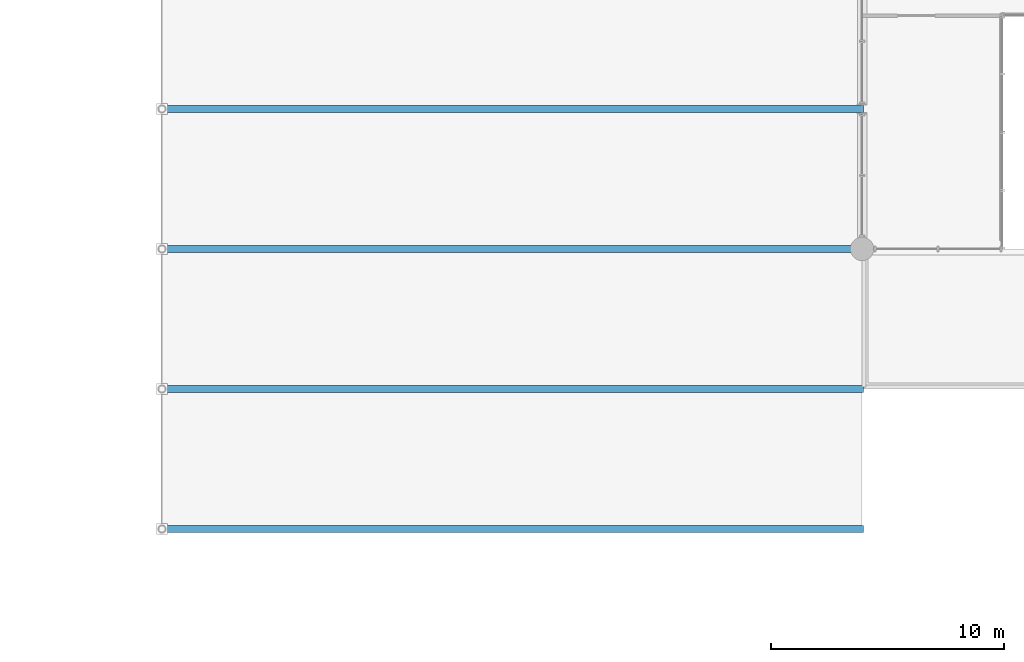
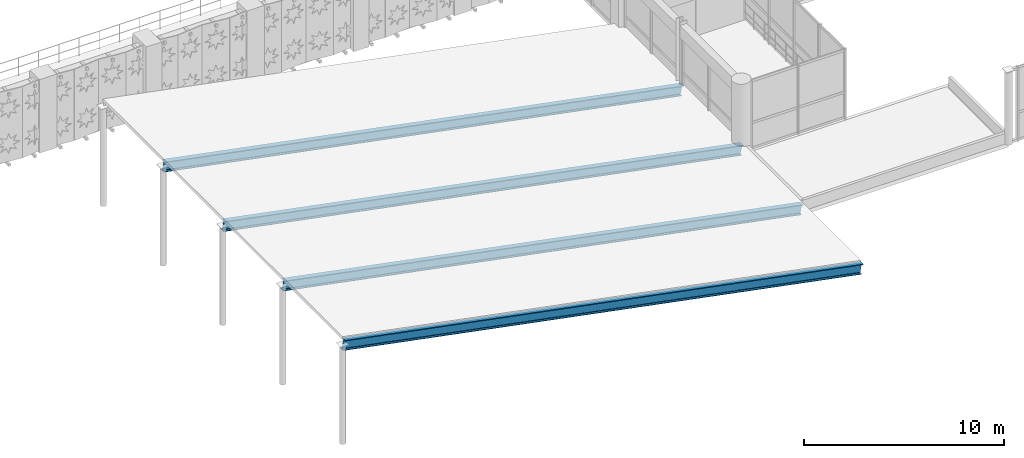
# One storey, part 18 of 133: 4 beams.
"""IFC4 building model written with IfcOpenShell, lengths in metres."""

from ifc_helpers import new_model, si_unit, direction, frame, origin, origin_2d, place, context, subcontext, project, spatial, i_section, extrude, material, material_profile, profile_set, type_object, element, save


model = new_model("IFC4")

# Units and contexts
model_context = context("Model", 3, precision=1e-05, world=origin(), true_north=direction((0.0, 1.0)))
body_context = subcontext(model_context, "Body", "Model", "MODEL_VIEW")
ifc_project = project(units=[si_unit("LENGTHUNIT", "METRE"), si_unit("AREAUNIT", "SQUARE_METRE"), si_unit("VOLUMEUNIT", "CUBIC_METRE"), si_unit("PLANEANGLEUNIT", "RADIAN"), si_unit("MASSUNIT", "GRAM", prefix="KILO"), si_unit("THERMODYNAMICTEMPERATUREUNIT", "KELVIN"), si_unit("POWERUNIT", "WATT")], contexts=[model_context])

# Site, building, storey
site_placement = place(None, origin())
site = spatial("IfcSite", under=ifc_project, at=site_placement, CompositionType="ELEMENT")
building_placement = place(site_placement, origin())
building = spatial("IfcBuilding", under=site, at=building_placement, Name="Phaisarnlok Congress Hotel", CompositionType="ELEMENT")
storey_placement = place(building_placement, frame((0.0, 0.0, 6.0)))
storey = spatial("IfcBuildingStorey", under=building, at=storey_placement, Name="L01", CompositionType="ELEMENT", Elevation=6.0)

# Beams
ifc_material = material(Name="Steel S355", Category="steel")
ifc_material_profile = material_profile(ifc_material, i_section(OverallWidth=0.300048828125, OverallDepth=0.60009765625, WebThickness=0.015380859375, FlangeThickness=0.030029296875, FilletRadius=0.027099609375, at=origin_2d()), Name="HEB 600")
ifc_profile_set = profile_set([ifc_material_profile], Name="Steel S355")
beam_type = type_object("IfcBeamType", Name="BM-STL-HEB600-EXT", PredefinedType="BEAM", material=ifc_profile_set)
for number, where, z_axis, x_axis, name in (
    (1, (54.0, 12.0, 0.199951171875), (-0.981626364061, 0.0, 0.190813210709), (0.0, -1.0, 0.0), "MRT arrival canopy steel rafter SB-09E"),
    (2, (54.0, 18.0, 0.199951171875), (-0.981626364061, 0.0, 0.190813210709), (0.0, -1.0, 0.0), "MRT arrival canopy steel rafter SB-09E"),
    (3, (54.0, 24.0, 0.199951171875), (-0.981626364061, 0.0, 0.190813210709), (0.0, -1.0, 0.0), "MRT arrival canopy steel rafter SB-09E"),
    (4, (54.0, 30.0, 0.199951171875), (-0.981626364061, 0.0, 0.190813210709), (0.0, -1.0, 0.0), "MRT arrival canopy steel rafter SB-09E"),
):
    element("IfcBeam", number, at=place(storey_placement, frame(where, z_axis=z_axis, x_axis=x_axis)), inside=storey, type_object=beam_type, Name=name, PredefinedType="BEAM", context=body_context, shape_type="SweptSolid", body=[
        extrude(i_section(OverallWidth=0.300048828125, OverallDepth=0.60009765625, WebThickness=0.015380859375, FlangeThickness=0.030029296875, FilletRadius=0.027099609375, at=origin_2d()), origin(), (0.0, 0.0, 1.0), 30.5615234375),
    ])

save(model, "model.ifc")
